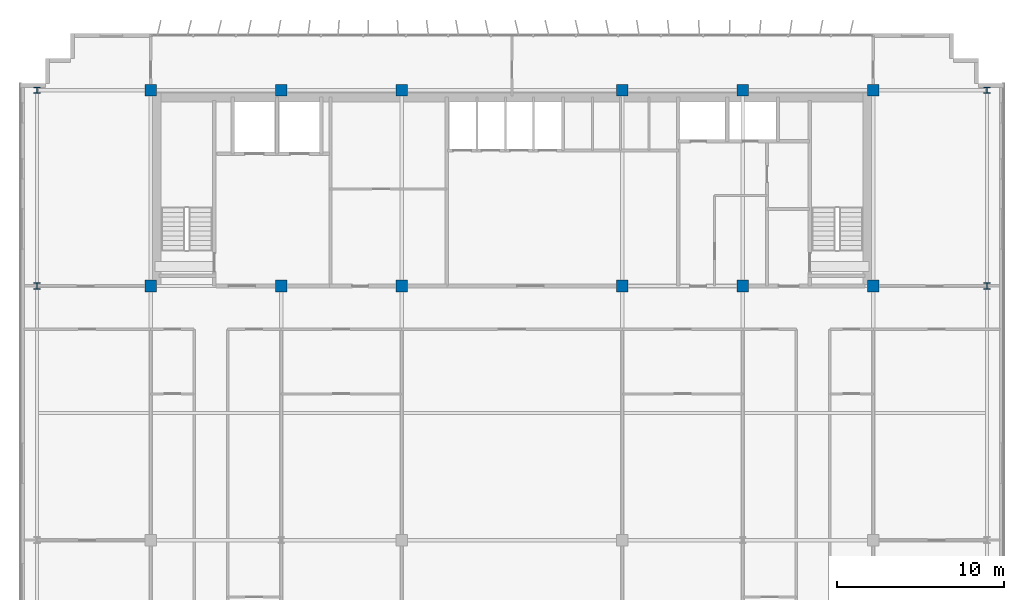
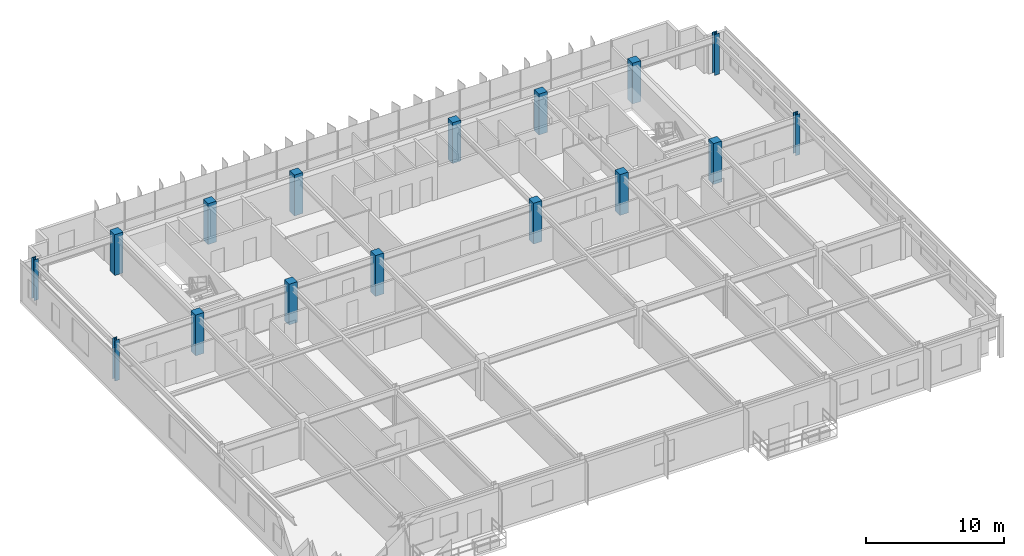
# One storey, part 2 of 20: 16 columns.
"""IFC4 building model written with IfcOpenShell, lengths in metres."""

from ifc_helpers import new_model, si_unit, direction, frame, origin, origin_2d, place, context, subcontext, project, spatial, rectangle, i_section, extrude, source, transform, mapped, material, material_profile, profile_set, type_object, element, save


model = new_model("IFC4")

# Units and contexts
model_context = context("Model", 3, precision=1e-05, world=origin(), true_north=direction((0.0, 1.0)))
body_context = subcontext(model_context, "Body", "Model", "MODEL_VIEW")
ifc_project = project(units=[si_unit("LENGTHUNIT", "METRE"), si_unit("AREAUNIT", "SQUARE_METRE"), si_unit("VOLUMEUNIT", "CUBIC_METRE"), si_unit("PLANEANGLEUNIT", "RADIAN"), si_unit("MASSUNIT", "GRAM", prefix="KILO")], contexts=[model_context])

# Site, building, storey
site_placement = place(None, origin())
site = spatial("IfcSite", under=ifc_project, at=site_placement, CompositionType="ELEMENT")
building_placement = place(site_placement, origin())
building = spatial("IfcBuilding", under=site, at=building_placement, Name="Trelvane Seafront Commons", CompositionType="ELEMENT")
storey_placement = place(building_placement, frame((0.0, 0.0, 150.10009765625)))
storey = spatial("IfcBuildingStorey", under=building, at=storey_placement, Name="L39", CompositionType="ELEMENT", Elevation=150.10009765625)

# Columns
ifc_material_1 = material(Name="Steel SM355 (S355)", Category="steel")
ifc_material_profile_1 = material_profile(ifc_material_1, i_section(OverallWidth=0.3798828125, OverallDepth=0.3798828125, WebThickness=0.02001953125, FlangeThickness=0.030029296875, at=origin_2d()), Name="HD-380x380x20x30")
ifc_profile_set_1 = profile_set([ifc_material_profile_1], Name="Steel SM355 (S355)")
column_type_1 = type_object("IfcColumnType", Name="STR-COL-HD380", PredefinedType="COLUMN", material=ifc_profile_set_1)
shared_shape_1 = source(origin(), body_context, "Body", "SweptSolid", [
    extrude(i_section(OverallWidth=0.3798828125, OverallDepth=0.3798828125, WebThickness=0.02001953125, FlangeThickness=0.030029296875, at=origin_2d()), origin(), (0.0, 0.0, 1.0), 3.599853515625),
])
for number, where, z_axis, x_axis, name in (
    (1, (8.800048828125, 33.39990234375, 0.0), (0.0, 0.0, 1.0), (1.0, 0.0, 0.0), "L39 Column TC-CS8.8"),
    (2, (8.800048828125, 45.10009765625, 0.0), (0.0, 0.0, 1.0), (1.0, 0.0, 0.0), "L39 Column TC-CN8.8"),
    (3, (65.60009765625, 33.39990234375, 0.0), (0.0, 0.0, 1.0), (1.0, 0.0, 0.0), "L39 Column TC-CS65.6"),
    (4, (65.60009765625, 45.10009765625, 0.0), (0.0, 0.0, 1.0), (1.0, 0.0, 0.0), "L39 Column TC-CN65.6"),
):
    element("IfcColumn", number, at=place(storey_placement, frame(where, z_axis=z_axis, x_axis=x_axis)), inside=storey, type_object=column_type_1, Name=name, PredefinedType="COLUMN", context=body_context, shape_type="MappedRepresentation", body=[
        mapped(shared_shape_1, transform((0.0, 0.0, 0.0), x_axis=(1.0, 0.0, 0.0), y_axis=(0.0, 1.0, 0.0), z_axis=(0.0, 0.0, 1.0), scale=1.0)),
    ])
ifc_material_2 = material(Name="Concrete C50/60", Category="concrete")
ifc_material_profile_2 = material_profile(ifc_material_2, rectangle(XDim=0.699951171875, YDim=0.699951171875, at=origin_2d()), Name="RC-700x700")
ifc_profile_set_2 = profile_set([ifc_material_profile_2], Name="Concrete C50/60")
column_type_2 = type_object("IfcColumnType", Name="STR-COL-RC700", PredefinedType="COLUMN", material=ifc_profile_set_2)
shared_shape_2 = source(origin(), body_context, "Body", "SweptSolid", [
    extrude(rectangle(XDim=0.699951171875, YDim=0.699951171875, at=origin_2d()), origin(), (0.0, 0.0, 1.0), 3.599853515625),
])
for number, where, z_axis, x_axis, name in (
    (5, (15.60009765625, 33.39990234375, 0.0), (0.0, 0.0, 1.0), (1.0, 0.0, 0.0), "L39 Column TC-CS15.6"),
    (6, (15.60009765625, 45.10009765625, 0.0), (0.0, 0.0, 1.0), (1.0, 0.0, 0.0), "L39 Column TC-CN15.6"),
    (7, (23.39990234375, 33.39990234375, 0.0), (0.0, 0.0, 1.0), (1.0, 0.0, 0.0), "L39 Column TC-CS23.4"),
    (8, (23.39990234375, 45.10009765625, 0.0), (0.0, 0.0, 1.0), (1.0, 0.0, 0.0), "L39 Column TC-CN23.4"),
    (9, (30.60009765625, 33.39990234375, 0.0), (0.0, 0.0, 1.0), (1.0, 0.0, 0.0), "L39 Column TC-CS30.6"),
    (10, (30.60009765625, 45.10009765625, 0.0), (0.0, 0.0, 1.0), (1.0, 0.0, 0.0), "L39 Column TC-CN30.6"),
    (11, (43.800048828125, 33.39990234375, 0.0), (0.0, 0.0, 1.0), (1.0, 0.0, 0.0), "L39 Column TC-CS43.8"),
    (12, (43.800048828125, 45.10009765625, 0.0), (0.0, 0.0, 1.0), (1.0, 0.0, 0.0), "L39 Column TC-CN43.8"),
    (13, (51.0, 33.39990234375, 0.0), (0.0, 0.0, 1.0), (1.0, 0.0, 0.0), "L39 Column TC-CS51.0"),
    (14, (51.0, 45.10009765625, 0.0), (0.0, 0.0, 1.0), (1.0, 0.0, 0.0), "L39 Column TC-CN51.0"),
    (15, (58.800048828125, 33.39990234375, 0.0), (0.0, 0.0, 1.0), (1.0, 0.0, 0.0), "L39 Column TC-CS58.8"),
    (16, (58.800048828125, 45.10009765625, 0.0), (0.0, 0.0, 1.0), (1.0, 0.0, 0.0), "L39 Column TC-CN58.8"),
):
    element("IfcColumn", number, at=place(storey_placement, frame(where, z_axis=z_axis, x_axis=x_axis)), inside=storey, type_object=column_type_2, Name=name, PredefinedType="COLUMN", context=body_context, shape_type="MappedRepresentation", body=[
        mapped(shared_shape_2, transform((0.0, 0.0, 0.0), x_axis=(1.0, 0.0, 0.0), y_axis=(0.0, 1.0, 0.0), z_axis=(0.0, 0.0, 1.0), scale=1.0)),
    ])

save(model, "model.ifc")
